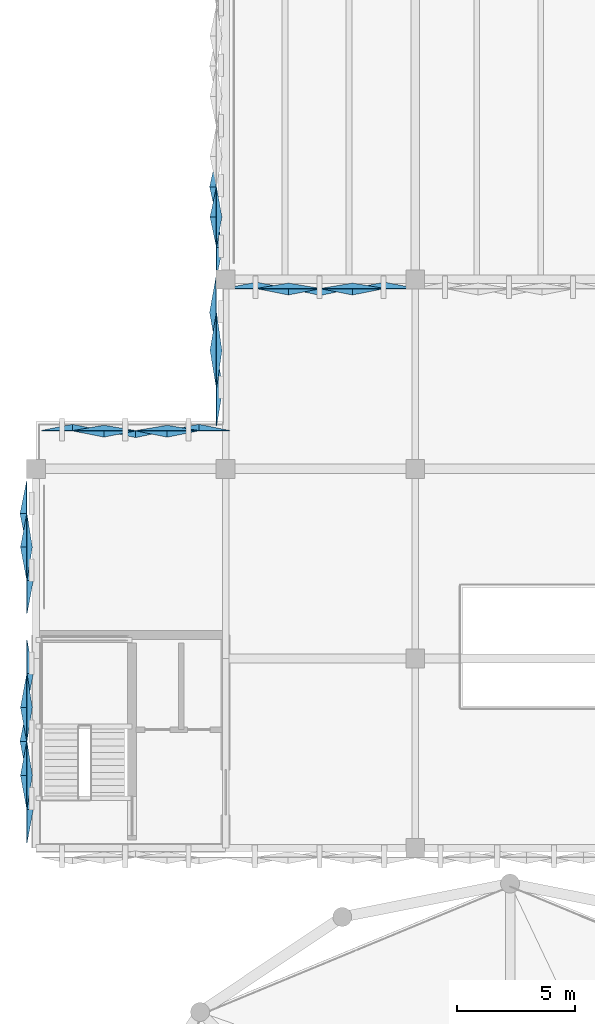
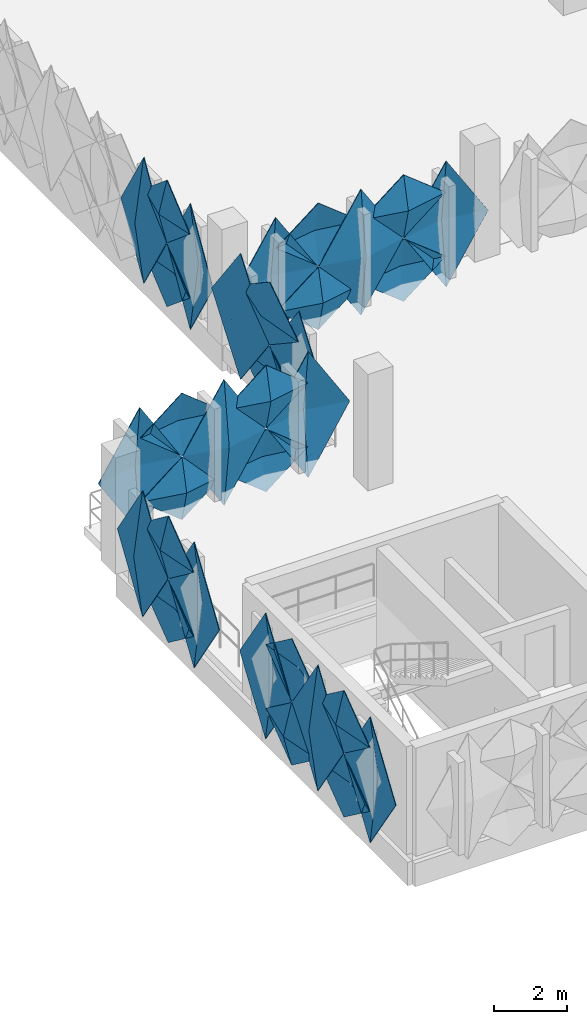
# One storey, part 89 of 123: 33 plates.
"""IFC4 building model written with IfcOpenShell, lengths in metres."""

from ifc_helpers import new_model, si_unit, derived_unit, direction, frame, origin, place, context, subcontext, project, spatial, polygons, material, layer, layer_set, type_object, element, save


model = new_model("IFC4")

# Units and contexts
model_context = context("Model", 3, precision=1e-05, world=origin(), true_north=direction((0.0, 1.0)))
body_context = subcontext(model_context, "Body", "Model", "MODEL_VIEW")
ifc_project = project(units=[si_unit("LENGTHUNIT", "METRE"), si_unit("AREAUNIT", "SQUARE_METRE"), si_unit("VOLUMEUNIT", "CUBIC_METRE"), si_unit("PLANEANGLEUNIT", "RADIAN"), si_unit("MASSUNIT", "GRAM", prefix="KILO"), si_unit("THERMODYNAMICTEMPERATUREUNIT", "KELVIN"), derived_unit("THERMALTRANSMITTANCEUNIT", [(si_unit("POWERUNIT", "WATT"), 1), (si_unit("AREAUNIT", "SQUARE_METRE"), -1), (si_unit("THERMODYNAMICTEMPERATUREUNIT", "KELVIN"), -1)])], contexts=[model_context])

# Site, building, storey
site_placement = place(None, origin())
site = spatial("IfcSite", under=ifc_project, at=site_placement, CompositionType="ELEMENT")
building_placement = place(site_placement, origin())
building = spatial("IfcBuilding", under=site, at=building_placement, Name="Haiyu Intermodal Mobility Hub", CompositionType="ELEMENT")
storey_placement = place(building_placement, frame((0.0, 0.0, 5.60009765625)))
storey = spatial("IfcBuildingStorey", under=building, at=storey_placement, Name="L01", CompositionType="ELEMENT", Elevation=5.60009765625)

# Plates
ifc_material = material(Name="Anodised aluminium 6063-T6", Category="aluminium")
ifc_layer_1 = layer(ifc_material, 0.01806640625)
ifc_layer_set_1 = layer_set([ifc_layer_1], Name="Anodised aluminium 6063-T6")
plate_type_1 = type_object("IfcPlateType", Name="PLT-FC03", PredefinedType="USERDEFINED", material=ifc_layer_set_1)
plate_1_placement = place(storey_placement, origin())
element("IfcPlate", 1, at=plate_1_placement, inside=storey, type_object=plate_type_1, Name="PLT-PYR-0651", ObjectType="FACADE CASSETTE", PredefinedType="USERDEFINED", context=body_context, shape_type="Tessellation", body=[
    polygons([(13.60009765625, 94.110107421875, -0.510009765625), (13.60009765625, 92.719970703125, 1.599853515625), (13.60009765625, 94.110107421875, 3.7099609375), (13.60009765625, 95.5, 1.599853515625), (13.320068359375, 94.110107421875, 1.599853515625), (13.6220703125, 94.110107421875, -0.510009765625), (13.6220703125, 92.719970703125, 1.599853515625), (13.6220703125, 94.110107421875, 3.7099609375), (13.6220703125, 95.5, 1.599853515625), (13.342041015625, 94.110107421875, 1.599853515625)], [[[1, 2, 5]], [[2, 3, 5]], [[3, 4, 5]], [[4, 1, 5]], [[7, 6, 10]], [[8, 7, 10]], [[9, 8, 10]], [[6, 9, 10]], [[1, 6, 7, 2]], [[2, 7, 8, 3]], [[3, 8, 9, 4]], [[4, 9, 6, 1]]], closed=True),
])
plate_2_placement = place(storey_placement, origin())
element("IfcPlate", 2, at=plate_2_placement, inside=storey, type_object=plate_type_1, Name="PLT-PYR-1417", ObjectType="FACADE CASSETTE", PredefinedType="USERDEFINED", context=body_context, shape_type="Tessellation", body=[
    polygons([(13.60009765625, 85.93310546875, -0.52001953125), (13.60009765625, 84.52001953125, 0.52978515625), (13.60009765625, 85.93310546875, 1.579833984375), (13.60009765625, 87.346923828125, 0.52978515625), (13.340087890625, 85.93310546875, 0.52978515625), (13.6220703125, 85.93310546875, -0.52001953125), (13.6220703125, 84.52001953125, 0.52978515625), (13.6220703125, 85.93310546875, 1.579833984375), (13.6220703125, 87.346923828125, 0.52978515625), (13.362060546875, 85.93310546875, 0.52978515625)], [[[1, 2, 5]], [[2, 3, 5]], [[3, 4, 5]], [[4, 1, 5]], [[7, 6, 10]], [[8, 7, 10]], [[9, 8, 10]], [[6, 9, 10]], [[1, 6, 7, 2]], [[2, 7, 8, 3]], [[3, 8, 9, 4]], [[4, 9, 6, 1]]], closed=True),
])
plate_3_placement = place(storey_placement, origin())
element("IfcPlate", 3, at=plate_3_placement, inside=storey, type_object=plate_type_1, Name="PLT-PYR-2268", ObjectType="FACADE CASSETTE", PredefinedType="USERDEFINED", context=body_context, shape_type="Tessellation", body=[
    polygons([(24.64990234375, 103.60009765625, -0.52001953125), (25.97998046875, 103.60009765625, 0.52978515625), (24.64990234375, 103.60009765625, 1.579833984375), (23.320068359375, 103.60009765625, 0.52978515625), (24.64990234375, 103.340087890625, 0.52978515625), (24.64990234375, 103.6220703125, -0.52001953125), (25.97998046875, 103.6220703125, 0.52978515625), (24.64990234375, 103.6220703125, 1.579833984375), (23.320068359375, 103.6220703125, 0.52978515625), (24.64990234375, 103.362060546875, 0.52978515625)], [[[1, 2, 5]], [[2, 3, 5]], [[3, 4, 5]], [[4, 1, 5]], [[7, 6, 10]], [[8, 7, 10]], [[9, 8, 10]], [[6, 9, 10]], [[1, 6, 7, 2]], [[2, 7, 8, 3]], [[3, 8, 9, 4]], [[4, 9, 6, 1]]], closed=True),
])
plate_4_placement = place(storey_placement, origin())
element("IfcPlate", 4, at=plate_4_placement, inside=storey, type_object=plate_type_1, Name="PLT-PYR-2452", ObjectType="FACADE CASSETTE", PredefinedType="USERDEFINED", context=body_context, shape_type="Tessellation", body=[
    polygons([(16.866943359375, 97.60009765625, -0.52001953125), (18.179931640625, 97.60009765625, 0.52978515625), (16.866943359375, 97.60009765625, 1.579833984375), (15.552978515625, 97.60009765625, 0.52978515625), (16.866943359375, 97.340087890625, 0.52978515625), (16.866943359375, 97.6220703125, -0.52001953125), (18.179931640625, 97.6220703125, 0.52978515625), (16.866943359375, 97.6220703125, 1.579833984375), (15.552978515625, 97.6220703125, 0.52978515625), (16.866943359375, 97.362060546875, 0.52978515625)], [[[1, 2, 5]], [[2, 3, 5]], [[3, 4, 5]], [[4, 1, 5]], [[7, 6, 10]], [[8, 7, 10]], [[9, 8, 10]], [[6, 9, 10]], [[1, 6, 7, 2]], [[2, 7, 8, 3]], [[3, 8, 9, 4]], [[4, 9, 6, 1]]], closed=True),
])
plate_5_placement = place(storey_placement, origin())
element("IfcPlate", 5, at=plate_5_placement, inside=storey, type_object=plate_type_1, Name="PLT-PYR-2458", ObjectType="FACADE CASSETTE", PredefinedType="USERDEFINED", context=body_context, shape_type="Tessellation", body=[
    polygons([(21.60009765625, 102.60009765625, -0.510009765625), (21.60009765625, 101.02001953125, 1.599853515625), (21.60009765625, 102.60009765625, 3.7099609375), (21.60009765625, 104.179931640625, 1.599853515625), (21.320068359375, 102.60009765625, 1.599853515625), (21.6220703125, 102.60009765625, -0.510009765625), (21.6220703125, 101.02001953125, 1.599853515625), (21.6220703125, 102.60009765625, 3.7099609375), (21.6220703125, 104.179931640625, 1.599853515625), (21.342041015625, 102.60009765625, 1.599853515625)], [[[1, 2, 5]], [[2, 3, 5]], [[3, 4, 5]], [[4, 1, 5]], [[7, 6, 10]], [[8, 7, 10]], [[9, 8, 10]], [[6, 9, 10]], [[1, 6, 7, 2]], [[2, 7, 8, 3]], [[3, 8, 9, 4]], [[4, 9, 6, 1]]], closed=True),
])
ifc_layer_2 = layer(ifc_material, 0.02001953125)
ifc_layer_set_2 = layer_set([ifc_layer_2], Name="Anodised aluminium 6063-T6")
plate_type_2 = type_object("IfcPlateType", Name="PLT-FC04", PredefinedType="USERDEFINED", material=ifc_layer_set_2)
plate_6_placement = place(storey_placement, origin())
element("IfcPlate", 6, at=plate_6_placement, inside=storey, type_object=plate_type_2, Name="PLT-PYR-0537", ObjectType="FACADE CASSETTE", PredefinedType="USERDEFINED", context=body_context, shape_type="Tessellation", body=[
    polygons([(21.60009765625, 106.62890625, -0.52001953125), (21.60009765625, 105.3740234375, 0.52978515625), (21.60009765625, 106.62890625, 1.579833984375), (21.60009765625, 107.883056640625, 0.52978515625), (21.820068359375, 106.62890625, 0.52978515625), (21.6220703125, 106.62890625, -0.52001953125), (21.6220703125, 105.3740234375, 0.52978515625), (21.6220703125, 106.62890625, 1.579833984375), (21.6220703125, 107.883056640625, 0.52978515625), (21.842041015625, 106.62890625, 0.52978515625)], [[[1, 2, 5]], [[2, 3, 5]], [[3, 4, 5]], [[4, 1, 5]], [[7, 6, 10]], [[8, 7, 10]], [[9, 8, 10]], [[6, 9, 10]], [[1, 6, 7, 2]], [[2, 7, 8, 3]], [[3, 8, 9, 4]], [[4, 9, 6, 1]]], closed=True),
])
plate_7_placement = place(storey_placement, origin())
element("IfcPlate", 7, at=plate_7_placement, inside=storey, type_object=plate_type_2, Name="PLT-PYR-0652", ObjectType="FACADE CASSETTE", PredefinedType="USERDEFINED", context=body_context, shape_type="Tessellation", body=[
    polygons([(13.60009765625, 92.699951171875, -0.52001953125), (13.60009765625, 91.31005859375, 0.52978515625), (13.60009765625, 92.699951171875, 1.579833984375), (13.60009765625, 94.090087890625, 0.52978515625), (13.820068359375, 92.699951171875, 0.52978515625), (13.6220703125, 92.699951171875, -0.52001953125), (13.6220703125, 91.31005859375, 0.52978515625), (13.6220703125, 92.699951171875, 1.579833984375), (13.6220703125, 94.090087890625, 0.52978515625), (13.842041015625, 92.699951171875, 0.52978515625)], [[[1, 2, 5]], [[2, 3, 5]], [[3, 4, 5]], [[4, 1, 5]], [[7, 6, 10]], [[8, 7, 10]], [[9, 8, 10]], [[6, 9, 10]], [[1, 6, 7, 2]], [[2, 7, 8, 3]], [[3, 8, 9, 4]], [[4, 9, 6, 1]]], closed=True),
])
plate_8_placement = place(storey_placement, origin())
element("IfcPlate", 8, at=plate_8_placement, inside=storey, type_object=plate_type_2, Name="PLT-PYR-1416", ObjectType="FACADE CASSETTE", PredefinedType="USERDEFINED", context=body_context, shape_type="Tessellation", body=[
    polygons([(13.60009765625, 87.366943359375, -0.510009765625), (13.60009765625, 85.952880859375, 1.599853515625), (13.60009765625, 87.366943359375, 3.7099609375), (13.60009765625, 88.780029296875, 1.599853515625), (13.860107421875, 87.366943359375, 1.599853515625), (13.6220703125, 87.366943359375, -0.510009765625), (13.6220703125, 85.952880859375, 1.599853515625), (13.6220703125, 87.366943359375, 3.7099609375), (13.6220703125, 88.780029296875, 1.599853515625), (13.882080078125, 87.366943359375, 1.599853515625)], [[[1, 2, 5]], [[2, 3, 5]], [[3, 4, 5]], [[4, 1, 5]], [[7, 6, 10]], [[8, 7, 10]], [[9, 8, 10]], [[6, 9, 10]], [[1, 6, 7, 2]], [[2, 7, 8, 3]], [[3, 8, 9, 4]], [[4, 9, 6, 1]]], closed=True),
])
plate_9_placement = place(storey_placement, origin())
element("IfcPlate", 9, at=plate_9_placement, inside=storey, type_object=plate_type_2, Name="PLT-PYR-1420", ObjectType="FACADE CASSETTE", PredefinedType="USERDEFINED", context=body_context, shape_type="Tessellation", body=[
    polygons([(13.60009765625, 83.06689453125, -0.52001953125), (13.60009765625, 81.653076171875, 0.52978515625), (13.60009765625, 83.06689453125, 1.579833984375), (13.60009765625, 84.47998046875, 0.52978515625), (13.820068359375, 83.06689453125, 0.52978515625), (13.6220703125, 83.06689453125, -0.52001953125), (13.6220703125, 81.653076171875, 0.52978515625), (13.6220703125, 83.06689453125, 1.579833984375), (13.6220703125, 84.47998046875, 0.52978515625), (13.842041015625, 83.06689453125, 0.52978515625)], [[[1, 2, 5]], [[2, 3, 5]], [[3, 4, 5]], [[4, 1, 5]], [[7, 6, 10]], [[8, 7, 10]], [[9, 8, 10]], [[6, 9, 10]], [[1, 6, 7, 2]], [[2, 7, 8, 3]], [[3, 8, 9, 4]], [[4, 9, 6, 1]]], closed=True),
])
plate_10_placement = place(storey_placement, origin())
element("IfcPlate", 10, at=plate_10_placement, inside=storey, type_object=plate_type_2, Name="PLT-PYR-2267", ObjectType="FACADE CASSETTE", PredefinedType="USERDEFINED", context=body_context, shape_type="Tessellation", body=[
    polygons([(23.300048828125, 103.60009765625, -0.510009765625), (24.6298828125, 103.60009765625, 1.599853515625), (23.300048828125, 103.60009765625, 3.7099609375), (21.969970703125, 103.60009765625, 1.599853515625), (23.300048828125, 103.860107421875, 1.599853515625), (23.300048828125, 103.6220703125, -0.510009765625), (24.6298828125, 103.6220703125, 1.599853515625), (23.300048828125, 103.6220703125, 3.7099609375), (21.969970703125, 103.6220703125, 1.599853515625), (23.300048828125, 103.882080078125, 1.599853515625)], [[[1, 2, 5]], [[2, 3, 5]], [[3, 4, 5]], [[4, 1, 5]], [[7, 6, 10]], [[8, 7, 10]], [[9, 8, 10]], [[6, 9, 10]], [[1, 6, 7, 2]], [[2, 7, 8, 3]], [[3, 8, 9, 4]], [[4, 9, 6, 1]]], closed=True),
])
plate_11_placement = place(storey_placement, origin())
element("IfcPlate", 11, at=plate_11_placement, inside=storey, type_object=plate_type_2, Name="PLT-PYR-2271", ObjectType="FACADE CASSETTE", PredefinedType="USERDEFINED", context=body_context, shape_type="Tessellation", body=[
    polygons([(27.35009765625, 103.60009765625, -0.52001953125), (28.679931640625, 103.60009765625, 0.52978515625), (27.35009765625, 103.60009765625, 1.579833984375), (26.02001953125, 103.60009765625, 0.52978515625), (27.35009765625, 103.820068359375, 0.52978515625), (27.35009765625, 103.6220703125, -0.52001953125), (28.679931640625, 103.6220703125, 0.52978515625), (27.35009765625, 103.6220703125, 1.579833984375), (26.02001953125, 103.6220703125, 0.52978515625), (27.35009765625, 103.842041015625, 0.52978515625)], [[[1, 2, 5]], [[2, 3, 5]], [[3, 4, 5]], [[4, 1, 5]], [[7, 6, 10]], [[8, 7, 10]], [[9, 8, 10]], [[6, 9, 10]], [[1, 6, 7, 2]], [[2, 7, 8, 3]], [[3, 8, 9, 4]], [[4, 9, 6, 1]]], closed=True),
])
plate_12_placement = place(storey_placement, origin())
element("IfcPlate", 12, at=plate_12_placement, inside=storey, type_object=plate_type_2, Name="PLT-PYR-2451", ObjectType="FACADE CASSETTE", PredefinedType="USERDEFINED", context=body_context, shape_type="Tessellation", body=[
    polygons([(15.532958984375, 97.60009765625, -0.510009765625), (16.846923828125, 97.60009765625, 1.599853515625), (15.532958984375, 97.60009765625, 3.7099609375), (14.219970703125, 97.60009765625, 1.599853515625), (15.532958984375, 97.860107421875, 1.599853515625), (15.532958984375, 97.6220703125, -0.510009765625), (16.846923828125, 97.6220703125, 1.599853515625), (15.532958984375, 97.6220703125, 3.7099609375), (14.219970703125, 97.6220703125, 1.599853515625), (15.532958984375, 97.882080078125, 1.599853515625)], [[[1, 2, 5]], [[2, 3, 5]], [[3, 4, 5]], [[4, 1, 5]], [[7, 6, 10]], [[8, 7, 10]], [[9, 8, 10]], [[6, 9, 10]], [[1, 6, 7, 2]], [[2, 7, 8, 3]], [[3, 8, 9, 4]], [[4, 9, 6, 1]]], closed=True),
])
plate_13_placement = place(storey_placement, origin())
element("IfcPlate", 13, at=plate_13_placement, inside=storey, type_object=plate_type_2, Name="PLT-PYR-2455", ObjectType="FACADE CASSETTE", PredefinedType="USERDEFINED", context=body_context, shape_type="Tessellation", body=[
    polygons([(19.532958984375, 97.60009765625, -0.52001953125), (20.846923828125, 97.60009765625, 0.52978515625), (19.532958984375, 97.60009765625, 1.579833984375), (18.219970703125, 97.60009765625, 0.52978515625), (19.532958984375, 97.820068359375, 0.52978515625), (19.532958984375, 97.6220703125, -0.52001953125), (20.846923828125, 97.6220703125, 0.52978515625), (19.532958984375, 97.6220703125, 1.579833984375), (18.219970703125, 97.6220703125, 0.52978515625), (19.532958984375, 97.842041015625, 0.52978515625)], [[[1, 2, 5]], [[2, 3, 5]], [[3, 4, 5]], [[4, 1, 5]], [[7, 6, 10]], [[8, 7, 10]], [[9, 8, 10]], [[6, 9, 10]], [[1, 6, 7, 2]], [[2, 7, 8, 3]], [[3, 8, 9, 4]], [[4, 9, 6, 1]]], closed=True),
])
plate_14_placement = place(storey_placement, origin())
element("IfcPlate", 14, at=plate_14_placement, inside=storey, type_object=plate_type_2, Name="PLT-PYR-2459", ObjectType="FACADE CASSETTE", PredefinedType="USERDEFINED", context=body_context, shape_type="Tessellation", body=[
    polygons([(21.60009765625, 101.0, -0.52001953125), (21.60009765625, 99.419921875, 0.52978515625), (21.60009765625, 101.0, 1.579833984375), (21.60009765625, 102.580078125, 0.52978515625), (21.820068359375, 101.0, 0.52978515625), (21.6220703125, 101.0, -0.52001953125), (21.6220703125, 99.419921875, 0.52978515625), (21.6220703125, 101.0, 1.579833984375), (21.6220703125, 102.580078125, 0.52978515625), (21.842041015625, 101.0, 0.52978515625)], [[[1, 2, 5]], [[2, 3, 5]], [[3, 4, 5]], [[4, 1, 5]], [[7, 6, 10]], [[8, 7, 10]], [[9, 8, 10]], [[6, 9, 10]], [[1, 6, 7, 2]], [[2, 7, 8, 3]], [[3, 8, 9, 4]], [[4, 9, 6, 1]]], closed=True),
])
ifc_layer_3 = layer(ifc_material, 0.01806640625)
ifc_layer_set_3 = layer_set([ifc_layer_3], Name="Anodised aluminium 6063-T6")
plate_type_3 = type_object("IfcPlateType", Name="PLT-FC05", PredefinedType="USERDEFINED", material=ifc_layer_set_3)
plate_15_placement = place(storey_placement, origin())
element("IfcPlate", 15, at=plate_15_placement, inside=storey, type_object=plate_type_3, Name="PLT-PYR-0536", ObjectType="FACADE CASSETTE", PredefinedType="USERDEFINED", context=body_context, shape_type="Tessellation", body=[
    polygons([(21.60009765625, 107.903076171875, -0.510009765625), (21.60009765625, 106.64892578125, 1.599853515625), (21.60009765625, 107.903076171875, 3.7099609375), (21.60009765625, 109.156982421875, 1.599853515625), (21.320068359375, 107.903076171875, 1.599853515625), (21.6220703125, 107.903076171875, -0.510009765625), (21.6220703125, 106.64892578125, 1.599853515625), (21.6220703125, 107.903076171875, 3.7099609375), (21.6220703125, 109.156982421875, 1.599853515625), (21.342041015625, 107.903076171875, 1.599853515625)], [[[1, 2, 5]], [[2, 3, 5]], [[3, 4, 5]], [[4, 1, 5]], [[7, 6, 10]], [[8, 7, 10]], [[9, 8, 10]], [[6, 9, 10]], [[1, 6, 7, 2]], [[2, 7, 8, 3]], [[3, 8, 9, 4]], [[4, 9, 6, 1]]], closed=True),
])
plate_16_placement = place(storey_placement, origin())
element("IfcPlate", 16, at=plate_16_placement, inside=storey, type_object=plate_type_3, Name="PLT-PYR-0538", ObjectType="FACADE CASSETTE", PredefinedType="USERDEFINED", context=body_context, shape_type="Tessellation", body=[
    polygons([(21.60009765625, 106.62890625, 1.619873046875), (21.60009765625, 105.3740234375, 2.669921875), (21.60009765625, 106.62890625, 3.719970703125), (21.60009765625, 107.883056640625, 2.669921875), (21.340087890625, 106.62890625, 2.669921875), (21.6220703125, 106.62890625, 1.619873046875), (21.6220703125, 105.3740234375, 2.669921875), (21.6220703125, 106.62890625, 3.719970703125), (21.6220703125, 107.883056640625, 2.669921875), (21.362060546875, 106.62890625, 2.669921875)], [[[1, 2, 5]], [[2, 3, 5]], [[3, 4, 5]], [[4, 1, 5]], [[7, 6, 10]], [[8, 7, 10]], [[9, 8, 10]], [[6, 9, 10]], [[1, 6, 7, 2]], [[2, 7, 8, 3]], [[3, 8, 9, 4]], [[4, 9, 6, 1]]], closed=True),
])
plate_17_placement = place(storey_placement, origin())
element("IfcPlate", 17, at=plate_17_placement, inside=storey, type_object=plate_type_3, Name="PLT-PYR-0653", ObjectType="FACADE CASSETTE", PredefinedType="USERDEFINED", context=body_context, shape_type="Tessellation", body=[
    polygons([(13.60009765625, 92.699951171875, 1.619873046875), (13.60009765625, 91.31005859375, 2.669921875), (13.60009765625, 92.699951171875, 3.719970703125), (13.60009765625, 94.090087890625, 2.669921875), (13.340087890625, 92.699951171875, 2.669921875), (13.6220703125, 92.699951171875, 1.619873046875), (13.6220703125, 91.31005859375, 2.669921875), (13.6220703125, 92.699951171875, 3.719970703125), (13.6220703125, 94.090087890625, 2.669921875), (13.362060546875, 92.699951171875, 2.669921875)], [[[1, 2, 5]], [[2, 3, 5]], [[3, 4, 5]], [[4, 1, 5]], [[7, 6, 10]], [[8, 7, 10]], [[9, 8, 10]], [[6, 9, 10]], [[1, 6, 7, 2]], [[2, 7, 8, 3]], [[3, 8, 9, 4]], [[4, 9, 6, 1]]], closed=True),
])
plate_18_placement = place(storey_placement, origin())
element("IfcPlate", 18, at=plate_18_placement, inside=storey, type_object=plate_type_3, Name="PLT-PYR-1419", ObjectType="FACADE CASSETTE", PredefinedType="USERDEFINED", context=body_context, shape_type="Tessellation", body=[
    polygons([(13.60009765625, 84.5, -0.510009765625), (13.60009765625, 83.0869140625, 1.599853515625), (13.60009765625, 84.5, 3.7099609375), (13.60009765625, 85.9130859375, 1.599853515625), (13.320068359375, 84.5, 1.599853515625), (13.6220703125, 84.5, -0.510009765625), (13.6220703125, 83.0869140625, 1.599853515625), (13.6220703125, 84.5, 3.7099609375), (13.6220703125, 85.9130859375, 1.599853515625), (13.342041015625, 84.5, 1.599853515625)], [[[1, 2, 5]], [[2, 3, 5]], [[3, 4, 5]], [[4, 1, 5]], [[7, 6, 10]], [[8, 7, 10]], [[9, 8, 10]], [[6, 9, 10]], [[1, 6, 7, 2]], [[2, 7, 8, 3]], [[3, 8, 9, 4]], [[4, 9, 6, 1]]], closed=True),
])
plate_19_placement = place(storey_placement, origin())
element("IfcPlate", 19, at=plate_19_placement, inside=storey, type_object=plate_type_3, Name="PLT-PYR-1421", ObjectType="FACADE CASSETTE", PredefinedType="USERDEFINED", context=body_context, shape_type="Tessellation", body=[
    polygons([(13.60009765625, 83.06689453125, 1.619873046875), (13.60009765625, 81.653076171875, 2.669921875), (13.60009765625, 83.06689453125, 3.719970703125), (13.60009765625, 84.47998046875, 2.669921875), (13.340087890625, 83.06689453125, 2.669921875), (13.6220703125, 83.06689453125, 1.619873046875), (13.6220703125, 81.653076171875, 2.669921875), (13.6220703125, 83.06689453125, 3.719970703125), (13.6220703125, 84.47998046875, 2.669921875), (13.362060546875, 83.06689453125, 2.669921875)], [[[1, 2, 5]], [[2, 3, 5]], [[3, 4, 5]], [[4, 1, 5]], [[7, 6, 10]], [[8, 7, 10]], [[9, 8, 10]], [[6, 9, 10]], [[1, 6, 7, 2]], [[2, 7, 8, 3]], [[3, 8, 9, 4]], [[4, 9, 6, 1]]], closed=True),
])
plate_20_placement = place(storey_placement, origin())
element("IfcPlate", 20, at=plate_20_placement, inside=storey, type_object=plate_type_3, Name="PLT-PYR-2270", ObjectType="FACADE CASSETTE", PredefinedType="USERDEFINED", context=body_context, shape_type="Tessellation", body=[
    polygons([(26.0, 103.60009765625, -0.510009765625), (27.330078125, 103.60009765625, 1.599853515625), (26.0, 103.60009765625, 3.7099609375), (24.669921875, 103.60009765625, 1.599853515625), (26.0, 103.320068359375, 1.599853515625), (26.0, 103.6220703125, -0.510009765625), (27.330078125, 103.6220703125, 1.599853515625), (26.0, 103.6220703125, 3.7099609375), (24.669921875, 103.6220703125, 1.599853515625), (26.0, 103.342041015625, 1.599853515625)], [[[1, 2, 5]], [[2, 3, 5]], [[3, 4, 5]], [[4, 1, 5]], [[7, 6, 10]], [[8, 7, 10]], [[9, 8, 10]], [[6, 9, 10]], [[1, 6, 7, 2]], [[2, 7, 8, 3]], [[3, 8, 9, 4]], [[4, 9, 6, 1]]], closed=True),
])
plate_21_placement = place(storey_placement, origin())
element("IfcPlate", 21, at=plate_21_placement, inside=storey, type_object=plate_type_3, Name="PLT-PYR-2272", ObjectType="FACADE CASSETTE", PredefinedType="USERDEFINED", context=body_context, shape_type="Tessellation", body=[
    polygons([(27.35009765625, 103.60009765625, 1.619873046875), (28.679931640625, 103.60009765625, 2.669921875), (27.35009765625, 103.60009765625, 3.719970703125), (26.02001953125, 103.60009765625, 2.669921875), (27.35009765625, 103.340087890625, 2.669921875), (27.35009765625, 103.6220703125, 1.619873046875), (28.679931640625, 103.6220703125, 2.669921875), (27.35009765625, 103.6220703125, 3.719970703125), (26.02001953125, 103.6220703125, 2.669921875), (27.35009765625, 103.362060546875, 2.669921875)], [[[1, 2, 5]], [[2, 3, 5]], [[3, 4, 5]], [[4, 1, 5]], [[7, 6, 10]], [[8, 7, 10]], [[9, 8, 10]], [[6, 9, 10]], [[1, 6, 7, 2]], [[2, 7, 8, 3]], [[3, 8, 9, 4]], [[4, 9, 6, 1]]], closed=True),
])
plate_22_placement = place(storey_placement, origin())
element("IfcPlate", 22, at=plate_22_placement, inside=storey, type_object=plate_type_3, Name="PLT-PYR-2454", ObjectType="FACADE CASSETTE", PredefinedType="USERDEFINED", context=body_context, shape_type="Tessellation", body=[
    polygons([(18.199951171875, 97.60009765625, -0.510009765625), (19.512939453125, 97.60009765625, 1.599853515625), (18.199951171875, 97.60009765625, 3.7099609375), (16.886962890625, 97.60009765625, 1.599853515625), (18.199951171875, 97.320068359375, 1.599853515625), (18.199951171875, 97.6220703125, -0.510009765625), (19.512939453125, 97.6220703125, 1.599853515625), (18.199951171875, 97.6220703125, 3.7099609375), (16.886962890625, 97.6220703125, 1.599853515625), (18.199951171875, 97.342041015625, 1.599853515625)], [[[1, 2, 5]], [[2, 3, 5]], [[3, 4, 5]], [[4, 1, 5]], [[7, 6, 10]], [[8, 7, 10]], [[9, 8, 10]], [[6, 9, 10]], [[1, 6, 7, 2]], [[2, 7, 8, 3]], [[3, 8, 9, 4]], [[4, 9, 6, 1]]], closed=True),
])
plate_23_placement = place(storey_placement, origin())
element("IfcPlate", 23, at=plate_23_placement, inside=storey, type_object=plate_type_3, Name="PLT-PYR-2456", ObjectType="FACADE CASSETTE", PredefinedType="USERDEFINED", context=body_context, shape_type="Tessellation", body=[
    polygons([(19.532958984375, 97.60009765625, 1.619873046875), (20.846923828125, 97.60009765625, 2.669921875), (19.532958984375, 97.60009765625, 3.719970703125), (18.219970703125, 97.60009765625, 2.669921875), (19.532958984375, 97.340087890625, 2.669921875), (19.532958984375, 97.6220703125, 1.619873046875), (20.846923828125, 97.6220703125, 2.669921875), (19.532958984375, 97.6220703125, 3.719970703125), (18.219970703125, 97.6220703125, 2.669921875), (19.532958984375, 97.362060546875, 2.669921875)], [[[1, 2, 5]], [[2, 3, 5]], [[3, 4, 5]], [[4, 1, 5]], [[7, 6, 10]], [[8, 7, 10]], [[9, 8, 10]], [[6, 9, 10]], [[1, 6, 7, 2]], [[2, 7, 8, 3]], [[3, 8, 9, 4]], [[4, 9, 6, 1]]], closed=True),
])
plate_24_placement = place(storey_placement, origin())
element("IfcPlate", 24, at=plate_24_placement, inside=storey, type_object=plate_type_3, Name="PLT-PYR-2460", ObjectType="FACADE CASSETTE", PredefinedType="USERDEFINED", context=body_context, shape_type="Tessellation", body=[
    polygons([(21.60009765625, 101.0, 1.619873046875), (21.60009765625, 99.419921875, 2.669921875), (21.60009765625, 101.0, 3.719970703125), (21.60009765625, 102.580078125, 2.669921875), (21.340087890625, 101.0, 2.669921875), (21.6220703125, 101.0, 1.619873046875), (21.6220703125, 99.419921875, 2.669921875), (21.6220703125, 101.0, 3.719970703125), (21.6220703125, 102.580078125, 2.669921875), (21.362060546875, 101.0, 2.669921875)], [[[1, 2, 5]], [[2, 3, 5]], [[3, 4, 5]], [[4, 1, 5]], [[7, 6, 10]], [[8, 7, 10]], [[9, 8, 10]], [[6, 9, 10]], [[1, 6, 7, 2]], [[2, 7, 8, 3]], [[3, 8, 9, 4]], [[4, 9, 6, 1]]], closed=True),
])
ifc_layer_4 = layer(ifc_material, 0.02001953125)
ifc_layer_set_4 = layer_set([ifc_layer_4], Name="Anodised aluminium 6063-T6")
plate_type_4 = type_object("IfcPlateType", Name="PLT-FC06", PredefinedType="USERDEFINED", material=ifc_layer_set_4)
plate_25_placement = place(storey_placement, origin())
element("IfcPlate", 25, at=plate_25_placement, inside=storey, type_object=plate_type_4, Name="PLT-PYR-0654", ObjectType="FACADE CASSETTE", PredefinedType="USERDEFINED", context=body_context, shape_type="Tessellation", body=[
    polygons([(13.60009765625, 91.2900390625, -0.510009765625), (13.60009765625, 89.89990234375, 1.599853515625), (13.60009765625, 91.2900390625, 3.7099609375), (13.60009765625, 92.679931640625, 1.599853515625), (13.860107421875, 91.2900390625, 1.599853515625), (13.6220703125, 91.2900390625, -0.510009765625), (13.6220703125, 89.89990234375, 1.599853515625), (13.6220703125, 91.2900390625, 3.7099609375), (13.6220703125, 92.679931640625, 1.599853515625), (13.882080078125, 91.2900390625, 1.599853515625)], [[[1, 2, 5]], [[2, 3, 5]], [[3, 4, 5]], [[4, 1, 5]], [[7, 6, 10]], [[8, 7, 10]], [[9, 8, 10]], [[6, 9, 10]], [[1, 6, 7, 2]], [[2, 7, 8, 3]], [[3, 8, 9, 4]], [[4, 9, 6, 1]]], closed=True),
])
plate_26_placement = place(storey_placement, origin())
element("IfcPlate", 26, at=plate_26_placement, inside=storey, type_object=plate_type_4, Name="PLT-PYR-1418", ObjectType="FACADE CASSETTE", PredefinedType="USERDEFINED", context=body_context, shape_type="Tessellation", body=[
    polygons([(13.60009765625, 85.93310546875, 1.619873046875), (13.60009765625, 84.52001953125, 2.669921875), (13.60009765625, 85.93310546875, 3.719970703125), (13.60009765625, 87.346923828125, 2.669921875), (13.820068359375, 85.93310546875, 2.669921875), (13.6220703125, 85.93310546875, 1.619873046875), (13.6220703125, 84.52001953125, 2.669921875), (13.6220703125, 85.93310546875, 3.719970703125), (13.6220703125, 87.346923828125, 2.669921875), (13.842041015625, 85.93310546875, 2.669921875)], [[[1, 2, 5]], [[2, 3, 5]], [[3, 4, 5]], [[4, 1, 5]], [[7, 6, 10]], [[8, 7, 10]], [[9, 8, 10]], [[6, 9, 10]], [[1, 6, 7, 2]], [[2, 7, 8, 3]], [[3, 8, 9, 4]], [[4, 9, 6, 1]]], closed=True),
])
plate_27_placement = place(storey_placement, origin())
element("IfcPlate", 27, at=plate_27_placement, inside=storey, type_object=plate_type_4, Name="PLT-PYR-2269", ObjectType="FACADE CASSETTE", PredefinedType="USERDEFINED", context=body_context, shape_type="Tessellation", body=[
    polygons([(24.64990234375, 103.60009765625, 1.619873046875), (25.97998046875, 103.60009765625, 2.669921875), (24.64990234375, 103.60009765625, 3.719970703125), (23.320068359375, 103.60009765625, 2.669921875), (24.64990234375, 103.820068359375, 2.669921875), (24.64990234375, 103.6220703125, 1.619873046875), (25.97998046875, 103.6220703125, 2.669921875), (24.64990234375, 103.6220703125, 3.719970703125), (23.320068359375, 103.6220703125, 2.669921875), (24.64990234375, 103.842041015625, 2.669921875)], [[[1, 2, 5]], [[2, 3, 5]], [[3, 4, 5]], [[4, 1, 5]], [[7, 6, 10]], [[8, 7, 10]], [[9, 8, 10]], [[6, 9, 10]], [[1, 6, 7, 2]], [[2, 7, 8, 3]], [[3, 8, 9, 4]], [[4, 9, 6, 1]]], closed=True),
])
plate_28_placement = place(storey_placement, origin())
element("IfcPlate", 28, at=plate_28_placement, inside=storey, type_object=plate_type_4, Name="PLT-PYR-2453", ObjectType="FACADE CASSETTE", PredefinedType="USERDEFINED", context=body_context, shape_type="Tessellation", body=[
    polygons([(16.866943359375, 97.60009765625, 1.619873046875), (18.179931640625, 97.60009765625, 2.669921875), (16.866943359375, 97.60009765625, 3.719970703125), (15.552978515625, 97.60009765625, 2.669921875), (16.866943359375, 97.820068359375, 2.669921875), (16.866943359375, 97.6220703125, 1.619873046875), (18.179931640625, 97.6220703125, 2.669921875), (16.866943359375, 97.6220703125, 3.719970703125), (15.552978515625, 97.6220703125, 2.669921875), (16.866943359375, 97.842041015625, 2.669921875)], [[[1, 2, 5]], [[2, 3, 5]], [[3, 4, 5]], [[4, 1, 5]], [[7, 6, 10]], [[8, 7, 10]], [[9, 8, 10]], [[6, 9, 10]], [[1, 6, 7, 2]], [[2, 7, 8, 3]], [[3, 8, 9, 4]], [[4, 9, 6, 1]]], closed=True),
])
plate_29_placement = place(storey_placement, origin())
element("IfcPlate", 29, at=plate_29_placement, inside=storey, type_object=plate_type_4, Name="PLT-PYR-2461", ObjectType="FACADE CASSETTE", PredefinedType="USERDEFINED", context=body_context, shape_type="Tessellation", body=[
    polygons([(21.60009765625, 99.39990234375, -0.510009765625), (21.60009765625, 97.820068359375, 1.599853515625), (21.60009765625, 99.39990234375, 3.7099609375), (21.60009765625, 100.97998046875, 1.599853515625), (21.860107421875, 99.39990234375, 1.599853515625), (21.6220703125, 99.39990234375, -0.510009765625), (21.6220703125, 97.820068359375, 1.599853515625), (21.6220703125, 99.39990234375, 3.7099609375), (21.6220703125, 100.97998046875, 1.599853515625), (21.882080078125, 99.39990234375, 1.599853515625)], [[[1, 2, 5]], [[2, 3, 5]], [[3, 4, 5]], [[4, 1, 5]], [[7, 6, 10]], [[8, 7, 10]], [[9, 8, 10]], [[6, 9, 10]], [[1, 6, 7, 2]], [[2, 7, 8, 3]], [[3, 8, 9, 4]], [[4, 9, 6, 1]]], closed=True),
])
ifc_layer_5 = layer(ifc_material, 0.02392578125)
ifc_layer_set_5 = layer_set([ifc_layer_5], Name="Anodised aluminium 6063-T6")
plate_type_5 = type_object("IfcPlateType", Name="PLT-FC08", PredefinedType="USERDEFINED", material=ifc_layer_set_5)
plate_30_placement = place(storey_placement, origin())
element("IfcPlate", 30, at=plate_30_placement, inside=storey, type_object=plate_type_5, Name="PLT-PYR-0539", ObjectType="FACADE CASSETTE", PredefinedType="USERDEFINED", context=body_context, shape_type="Tessellation", body=[
    polygons([(21.60009765625, 105.35400390625, -0.510009765625), (21.60009765625, 104.10009765625, 1.599853515625), (21.60009765625, 105.35400390625, 3.7099609375), (21.60009765625, 106.60888671875, 1.599853515625), (21.860107421875, 105.35400390625, 1.599853515625), (21.6220703125, 105.35400390625, -0.510009765625), (21.6220703125, 104.10009765625, 1.599853515625), (21.6220703125, 105.35400390625, 3.7099609375), (21.6220703125, 106.60888671875, 1.599853515625), (21.882080078125, 105.35400390625, 1.599853515625)], [[[1, 2, 5]], [[2, 3, 5]], [[3, 4, 5]], [[4, 1, 5]], [[7, 6, 10]], [[8, 7, 10]], [[9, 8, 10]], [[6, 9, 10]], [[1, 6, 7, 2]], [[2, 7, 8, 3]], [[3, 8, 9, 4]], [[4, 9, 6, 1]]], closed=True),
])
plate_31_placement = place(storey_placement, origin())
element("IfcPlate", 31, at=plate_31_placement, inside=storey, type_object=plate_type_5, Name="PLT-PYR-1422", ObjectType="FACADE CASSETTE", PredefinedType="USERDEFINED", context=body_context, shape_type="Tessellation", body=[
    polygons([(13.60009765625, 81.633056640625, -0.510009765625), (13.60009765625, 80.219970703125, 1.599853515625), (13.60009765625, 81.633056640625, 3.7099609375), (13.60009765625, 83.047119140625, 1.599853515625), (13.860107421875, 81.633056640625, 1.599853515625), (13.6220703125, 81.633056640625, -0.510009765625), (13.6220703125, 80.219970703125, 1.599853515625), (13.6220703125, 81.633056640625, 3.7099609375), (13.6220703125, 83.047119140625, 1.599853515625), (13.882080078125, 81.633056640625, 1.599853515625)], [[[1, 2, 5]], [[2, 3, 5]], [[3, 4, 5]], [[4, 1, 5]], [[7, 6, 10]], [[8, 7, 10]], [[9, 8, 10]], [[6, 9, 10]], [[1, 6, 7, 2]], [[2, 7, 8, 3]], [[3, 8, 9, 4]], [[4, 9, 6, 1]]], closed=True),
])
plate_32_placement = place(storey_placement, origin())
element("IfcPlate", 32, at=plate_32_placement, inside=storey, type_object=plate_type_5, Name="PLT-PYR-2273", ObjectType="FACADE CASSETTE", PredefinedType="USERDEFINED", context=body_context, shape_type="Tessellation", body=[
    polygons([(28.699951171875, 103.60009765625, -0.510009765625), (30.030029296875, 103.60009765625, 1.599853515625), (28.699951171875, 103.60009765625, 3.7099609375), (27.3701171875, 103.60009765625, 1.599853515625), (28.699951171875, 103.860107421875, 1.599853515625), (28.699951171875, 103.6220703125, -0.510009765625), (30.030029296875, 103.6220703125, 1.599853515625), (28.699951171875, 103.6220703125, 3.7099609375), (27.3701171875, 103.6220703125, 1.599853515625), (28.699951171875, 103.882080078125, 1.599853515625)], [[[1, 2, 5]], [[2, 3, 5]], [[3, 4, 5]], [[4, 1, 5]], [[7, 6, 10]], [[8, 7, 10]], [[9, 8, 10]], [[6, 9, 10]], [[1, 6, 7, 2]], [[2, 7, 8, 3]], [[3, 8, 9, 4]], [[4, 9, 6, 1]]], closed=True),
])
plate_33_placement = place(storey_placement, origin())
element("IfcPlate", 33, at=plate_33_placement, inside=storey, type_object=plate_type_5, Name="PLT-PYR-2457", ObjectType="FACADE CASSETTE", PredefinedType="USERDEFINED", context=body_context, shape_type="Tessellation", body=[
    polygons([(20.866943359375, 97.60009765625, -0.510009765625), (22.179931640625, 97.60009765625, 1.599853515625), (20.866943359375, 97.60009765625, 3.7099609375), (19.552978515625, 97.60009765625, 1.599853515625), (20.866943359375, 97.860107421875, 1.599853515625), (20.866943359375, 97.6220703125, -0.510009765625), (22.179931640625, 97.6220703125, 1.599853515625), (20.866943359375, 97.6220703125, 3.7099609375), (19.552978515625, 97.6220703125, 1.599853515625), (20.866943359375, 97.882080078125, 1.599853515625)], [[[1, 2, 5]], [[2, 3, 5]], [[3, 4, 5]], [[4, 1, 5]], [[7, 6, 10]], [[8, 7, 10]], [[9, 8, 10]], [[6, 9, 10]], [[1, 6, 7, 2]], [[2, 7, 8, 3]], [[3, 8, 9, 4]], [[4, 9, 6, 1]]], closed=True),
])

save(model, "model.ifc")
